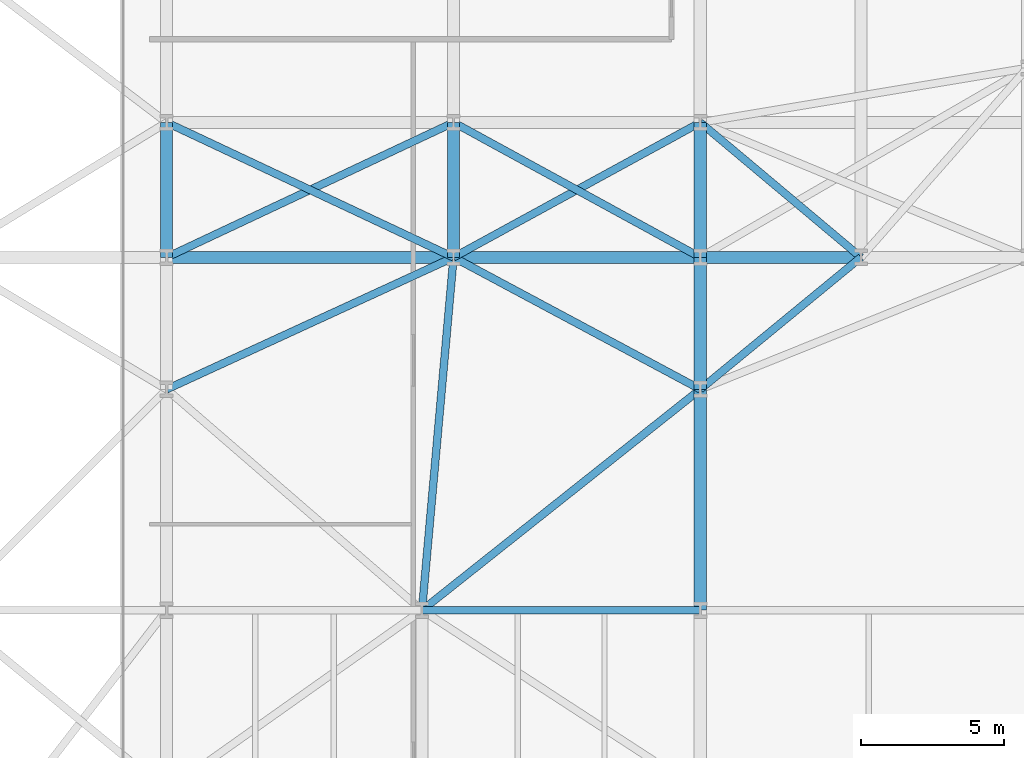
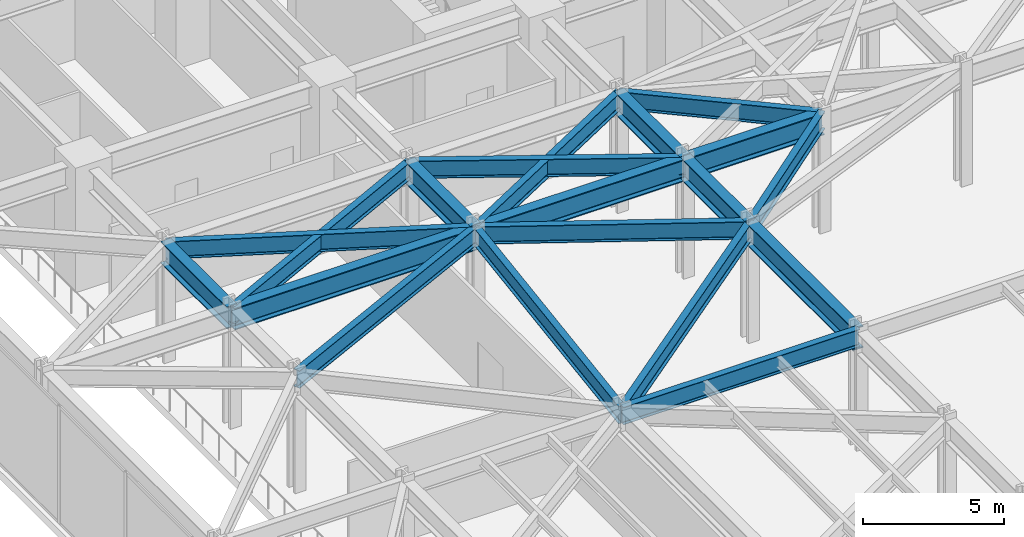
# One storey, part 10 of 31: 19 beams.
"""IFC4 building model written with IfcOpenShell, lengths in metres."""

from ifc_helpers import new_model, si_unit, direction, frame, origin, origin_2d, place, context, subcontext, project, spatial, i_section, extrude, material, material_profile, profile_set, type_object, element, save


model = new_model("IFC4")

# Units and contexts
model_context = context("Model", 3, precision=1e-05, world=origin(), true_north=direction((0.0, 1.0)))
body_context = subcontext(model_context, "Body", "Model", "MODEL_VIEW")
ifc_project = project(units=[si_unit("LENGTHUNIT", "METRE"), si_unit("AREAUNIT", "SQUARE_METRE"), si_unit("VOLUMEUNIT", "CUBIC_METRE"), si_unit("PLANEANGLEUNIT", "RADIAN"), si_unit("MASSUNIT", "GRAM", prefix="KILO")], contexts=[model_context])

# Site, building, storey
site_placement = place(None, origin())
site = spatial("IfcSite", under=ifc_project, at=site_placement, CompositionType="ELEMENT")
building_placement = place(site_placement, origin())
building = spatial("IfcBuilding", under=site, at=building_placement, Name="Kravanh Interchange Tower", CompositionType="ELEMENT")
storey_placement = place(building_placement, origin())
storey = spatial("IfcBuildingStorey", under=building, at=storey_placement, Name="L00", CompositionType="ELEMENT", Elevation=0.0)

# Beams
ifc_material_1 = material(Name="Structural Steel S450", Category="steel")
ifc_material_profile_1 = material_profile(ifc_material_1, i_section(OverallWidth=0.423095703125, OverallDepth=0.947998046875, WebThickness=0.02392578125, FlangeThickness=0.042724609375, FilletRadius=0.028076171875, at=origin_2d()), Name="W36X302")
ifc_profile_set_1 = profile_set([ifc_material_profile_1], Name="Structural Steel S450")
beam_type_1 = type_object("IfcBeamType", Name="Floor Beam W36X302 Structural Steel S450", PredefinedType="BEAM", material=ifc_profile_set_1)
beam_1_placement = place(storey_placement, frame((27.199951171875, 14.5, 4.656005859375), z_axis=(0.0, 1.0, 0.0), x_axis=(-1.0, 0.0, 0.0)))
element("IfcBeam", 1, at=beam_1_placement, inside=storey, type_object=beam_type_1, Name="L00 Primary Floor Girder 45", PredefinedType="BEAM", context=body_context, shape_type="SweptSolid", body=[
    extrude(i_section(OverallWidth=0.423095703125, OverallDepth=0.947998046875, WebThickness=0.02392578125, FlangeThickness=0.042724609375, FilletRadius=0.028076171875, at=origin_2d()), origin(), (0.0, 0.0, 1.0), 7.699951171875),
])
beam_2_placement = place(storey_placement, frame((27.199951171875, 22.199951171875, 4.656005859375), z_axis=(0.0, 1.0, 0.0), x_axis=(-1.0, 0.0, 0.0)))
element("IfcBeam", 2, at=beam_2_placement, inside=storey, type_object=beam_type_1, Name="L00 Primary Floor Girder 61", PredefinedType="BEAM", context=body_context, shape_type="SweptSolid", body=[
    extrude(i_section(OverallWidth=0.423095703125, OverallDepth=0.947998046875, WebThickness=0.02392578125, FlangeThickness=0.042724609375, FilletRadius=0.028076171875, at=origin_2d()), origin(), (0.0, 0.0, 1.0), 4.60009765625),
])
beam_3_placement = place(storey_placement, frame((8.60009765625, 26.800048828125, 4.656005859375), z_axis=(0.0, 1.0, 0.0), x_axis=(-1.0, 0.0, 0.0)))
element("IfcBeam", 3, at=beam_3_placement, inside=storey, type_object=beam_type_1, Name="L00 Primary Floor Girder 73", PredefinedType="BEAM", context=body_context, shape_type="SweptSolid", body=[
    extrude(i_section(OverallWidth=0.423095703125, OverallDepth=0.947998046875, WebThickness=0.02392578125, FlangeThickness=0.042724609375, FilletRadius=0.028076171875, at=origin_2d()), origin(), (0.0, 0.0, 1.0), 4.699951171875),
])
beam_4_placement = place(storey_placement, frame((8.60009765625, 26.800048828125, 4.656005859375), z_axis=(1.0, 0.0, 0.0), x_axis=(0.0, 1.0, 0.0)))
element("IfcBeam", 4, at=beam_4_placement, inside=storey, type_object=beam_type_1, Name="L00 Primary Floor Girder 75", PredefinedType="BEAM", context=body_context, shape_type="SweptSolid", body=[
    extrude(i_section(OverallWidth=0.423095703125, OverallDepth=0.947998046875, WebThickness=0.02392578125, FlangeThickness=0.042724609375, FilletRadius=0.028076171875, at=origin_2d()), origin(), (0.0, 0.0, 1.0), 10.0),
])
beam_5_placement = place(storey_placement, frame((18.60009765625, 26.800048828125, 4.656005859375), z_axis=(0.0, 1.0, 0.0), x_axis=(-1.0, 0.0, 0.0)))
element("IfcBeam", 5, at=beam_5_placement, inside=storey, type_object=beam_type_1, Name="L00 Primary Floor Girder 77", PredefinedType="BEAM", context=body_context, shape_type="SweptSolid", body=[
    extrude(i_section(OverallWidth=0.423095703125, OverallDepth=0.947998046875, WebThickness=0.02392578125, FlangeThickness=0.042724609375, FilletRadius=0.028076171875, at=origin_2d()), origin(), (0.0, 0.0, 1.0), 4.699951171875),
])
beam_6_placement = place(storey_placement, frame((18.60009765625, 26.800048828125, 4.656005859375), z_axis=(1.0, 0.0, 0.0), x_axis=(0.0, 1.0, 0.0)))
element("IfcBeam", 6, at=beam_6_placement, inside=storey, type_object=beam_type_1, Name="L00 Primary Floor Girder 78", PredefinedType="BEAM", context=body_context, shape_type="SweptSolid", body=[
    extrude(i_section(OverallWidth=0.423095703125, OverallDepth=0.947998046875, WebThickness=0.02392578125, FlangeThickness=0.042724609375, FilletRadius=0.028076171875, at=origin_2d()), origin(), (0.0, 0.0, 1.0), 8.599853515625),
])
beam_7_placement = place(storey_placement, frame((27.199951171875, 26.800048828125, 4.656005859375), z_axis=(0.0, 1.0, 0.0), x_axis=(-1.0, 0.0, 0.0)))
element("IfcBeam", 7, at=beam_7_placement, inside=storey, type_object=beam_type_1, Name="L00 Primary Floor Girder 81", PredefinedType="BEAM", context=body_context, shape_type="SweptSolid", body=[
    extrude(i_section(OverallWidth=0.423095703125, OverallDepth=0.947998046875, WebThickness=0.02392578125, FlangeThickness=0.042724609375, FilletRadius=0.028076171875, at=origin_2d()), origin(), (0.0, 0.0, 1.0), 4.699951171875),
])
beam_8_placement = place(storey_placement, frame((27.199951171875, 26.800048828125, 4.656005859375), z_axis=(1.0, 0.0, 0.0), x_axis=(0.0, 1.0, 0.0)))
element("IfcBeam", 8, at=beam_8_placement, inside=storey, type_object=beam_type_1, Name="L00 Primary Floor Girder 82", PredefinedType="BEAM", context=body_context, shape_type="SweptSolid", body=[
    extrude(i_section(OverallWidth=0.423095703125, OverallDepth=0.947998046875, WebThickness=0.02392578125, FlangeThickness=0.042724609375, FilletRadius=0.028076171875, at=origin_2d()), origin(), (0.0, 0.0, 1.0), 5.60009765625),
])
ifc_material_2 = material(Name="Structural Steel S355", Category="steel")
ifc_material_profile_2 = material_profile(ifc_material_2, i_section(OverallWidth=0.26708984375, OverallDepth=0.761962890625, WebThickness=0.014404296875, FlangeThickness=0.021484375, FilletRadius=0.02490234375, at=origin_2d()), Name="W30X116")
ifc_profile_set_2 = profile_set([ifc_material_profile_2], Name="Structural Steel S355")
beam_type_2 = type_object("IfcBeamType", Name="Floor Spandrel W30X116 Structural Steel S355", PredefinedType="SPANDREL", material=ifc_profile_set_2)
beam_9_placement = place(storey_placement, frame((17.5, 14.5, 4.7490234375), z_axis=(1.0, 0.0, 0.0), x_axis=(0.0, 1.0, 0.0)))
element("IfcBeam", 9, at=beam_9_placement, inside=storey, type_object=beam_type_2, Name="L00 Perimeter Spandrel 41", PredefinedType="SPANDREL", context=body_context, shape_type="SweptSolid", body=[
    extrude(i_section(OverallWidth=0.26708984375, OverallDepth=0.761962890625, WebThickness=0.014404296875, FlangeThickness=0.021484375, FilletRadius=0.02490234375, at=origin_2d()), origin(), (0.0, 0.0, 1.0), 9.699951171875),
])
beam_10_placement = place(storey_placement, frame((17.5, 14.5, 4.7490234375), z_axis=(0.089082890706, 0.996024215862, 0.0), x_axis=(-0.996024215862, 0.089082890706, 0.0)))
element("IfcBeam", 10, at=beam_10_placement, inside=storey, type_object=beam_type_2, Name="L00 Perimeter Spandrel 43", PredefinedType="SPANDREL", context=body_context, shape_type="SweptSolid", body=[
    extrude(i_section(OverallWidth=0.26708984375, OverallDepth=0.761962890625, WebThickness=0.014404296875, FlangeThickness=0.021484375, FilletRadius=0.02490234375, at=origin_2d()), origin(), (0.0, 0.0, 1.0), 12.34912109375),
])
beam_11_placement = place(storey_placement, frame((17.5, 14.5, 4.7490234375), z_axis=(0.78322688578, 0.621735993321, 0.0), x_axis=(-0.621735993321, 0.78322688578, 0.0)))
element("IfcBeam", 11, at=beam_11_placement, inside=storey, type_object=beam_type_2, Name="L00 Perimeter Spandrel 44", PredefinedType="SPANDREL", context=body_context, shape_type="SweptSolid", body=[
    extrude(i_section(OverallWidth=0.26708984375, OverallDepth=0.761962890625, WebThickness=0.014404296875, FlangeThickness=0.021484375, FilletRadius=0.02490234375, at=origin_2d()), origin(), (0.0, 0.0, 1.0), 12.384521484375),
])
beam_12_placement = place(storey_placement, frame((8.60009765625, 22.199951171875, 4.7490234375), z_axis=(0.908487084298, 0.417912930721, 0.0), x_axis=(-0.417912930721, 0.908487084298, 0.0)))
element("IfcBeam", 12, at=beam_12_placement, inside=storey, type_object=beam_type_2, Name="L00 Perimeter Spandrel 60", PredefinedType="SPANDREL", context=body_context, shape_type="SweptSolid", body=[
    extrude(i_section(OverallWidth=0.26708984375, OverallDepth=0.761962890625, WebThickness=0.014404296875, FlangeThickness=0.021484375, FilletRadius=0.02490234375, at=origin_2d()), origin(), (0.0, 0.0, 1.0), 11.00732421875),
])
beam_13_placement = place(storey_placement, frame((27.199951171875, 22.199951171875, 4.7490234375), z_axis=(0.772725074305, 0.634740860147, 0.0), x_axis=(-0.634740860147, 0.772725074305, 0.0)))
element("IfcBeam", 13, at=beam_13_placement, inside=storey, type_object=beam_type_2, Name="L00 Perimeter Spandrel 62", PredefinedType="SPANDREL", context=body_context, shape_type="SweptSolid", body=[
    extrude(i_section(OverallWidth=0.26708984375, OverallDepth=0.761962890625, WebThickness=0.014404296875, FlangeThickness=0.021484375, FilletRadius=0.02490234375, at=origin_2d()), origin(), (0.0, 0.0, 1.0), 7.247314453125),
])
beam_14_placement = place(storey_placement, frame((27.199951171875, 22.199951171875, 4.7490234375), z_axis=(-0.881777136221, 0.471666282489, 0.0), x_axis=(-0.471666282489, -0.881777136221, 0.0)))
element("IfcBeam", 14, at=beam_14_placement, inside=storey, type_object=beam_type_2, Name="L00 Perimeter Spandrel 63", PredefinedType="SPANDREL", context=body_context, shape_type="SweptSolid", body=[
    extrude(i_section(OverallWidth=0.26708984375, OverallDepth=0.761962890625, WebThickness=0.014404296875, FlangeThickness=0.021484375, FilletRadius=0.02490234375, at=origin_2d()), origin(), (0.0, 0.0, 1.0), 9.7529296875),
])
beam_15_placement = place(storey_placement, frame((8.60009765625, 26.800048828125, 4.7490234375), z_axis=(0.905025402916, 0.425357520301, 0.0), x_axis=(-0.425357520301, 0.905025402916, 0.0)))
element("IfcBeam", 15, at=beam_15_placement, inside=storey, type_object=beam_type_2, Name="L00 Perimeter Spandrel 76", PredefinedType="SPANDREL", context=body_context, shape_type="SweptSolid", body=[
    extrude(i_section(OverallWidth=0.26708984375, OverallDepth=0.761962890625, WebThickness=0.014404296875, FlangeThickness=0.021484375, FilletRadius=0.02490234375, at=origin_2d()), origin(), (0.0, 0.0, 1.0), 11.04931640625),
])
beam_16_placement = place(storey_placement, frame((18.60009765625, 26.800048828125, 4.7490234375), z_axis=(0.877503996342, 0.479569323877, 0.0), x_axis=(-0.479569323877, 0.877503996342, 0.0)))
element("IfcBeam", 16, at=beam_16_placement, inside=storey, type_object=beam_type_2, Name="L00 Perimeter Spandrel 79", PredefinedType="SPANDREL", context=body_context, shape_type="SweptSolid", body=[
    extrude(i_section(OverallWidth=0.26708984375, OverallDepth=0.761962890625, WebThickness=0.014404296875, FlangeThickness=0.021484375, FilletRadius=0.02490234375, at=origin_2d()), origin(), (0.0, 0.0, 1.0), 9.80029296875),
])
beam_17_placement = place(storey_placement, frame((18.60009765625, 26.800048828125, 4.7490234375), z_axis=(-0.905025402916, 0.425357520301, 0.0), x_axis=(-0.425357520301, -0.905025402916, 0.0)))
element("IfcBeam", 17, at=beam_17_placement, inside=storey, type_object=beam_type_2, Name="L00 Perimeter Spandrel 80", PredefinedType="SPANDREL", context=body_context, shape_type="SweptSolid", body=[
    extrude(i_section(OverallWidth=0.26708984375, OverallDepth=0.761962890625, WebThickness=0.014404296875, FlangeThickness=0.021484375, FilletRadius=0.02490234375, at=origin_2d()), origin(), (0.0, 0.0, 1.0), 11.04931640625),
])
beam_18_placement = place(storey_placement, frame((27.199951171875, 26.800048828125, 4.7490234375), z_axis=(-0.877503996342, 0.479569323877, 0.0), x_axis=(-0.479569323877, -0.877503996342, 0.0)))
element("IfcBeam", 18, at=beam_18_placement, inside=storey, type_object=beam_type_2, Name="L00 Perimeter Spandrel 83", PredefinedType="SPANDREL", context=body_context, shape_type="SweptSolid", body=[
    extrude(i_section(OverallWidth=0.26708984375, OverallDepth=0.761962890625, WebThickness=0.014404296875, FlangeThickness=0.021484375, FilletRadius=0.02490234375, at=origin_2d()), origin(), (0.0, 0.0, 1.0), 9.80029296875),
])
beam_19_placement = place(storey_placement, frame((32.800048828125, 26.800048828125, 4.7490234375), z_axis=(-0.765983062929, 0.642860752657, 0.0), x_axis=(-0.642860752657, -0.765983062929, 0.0)))
element("IfcBeam", 19, at=beam_19_placement, inside=storey, type_object=beam_type_2, Name="L00 Perimeter Spandrel 86", PredefinedType="SPANDREL", context=body_context, shape_type="SweptSolid", body=[
    extrude(i_section(OverallWidth=0.26708984375, OverallDepth=0.761962890625, WebThickness=0.014404296875, FlangeThickness=0.021484375, FilletRadius=0.02490234375, at=origin_2d()), origin(), (0.0, 0.0, 1.0), 7.31103515625),
])

save(model, "model.ifc")
